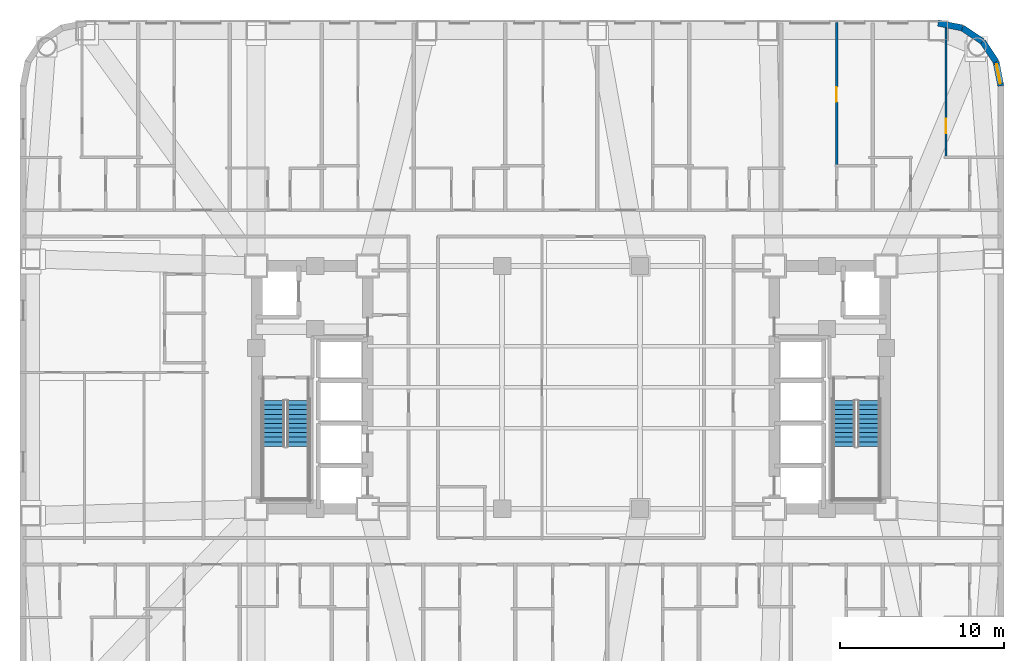
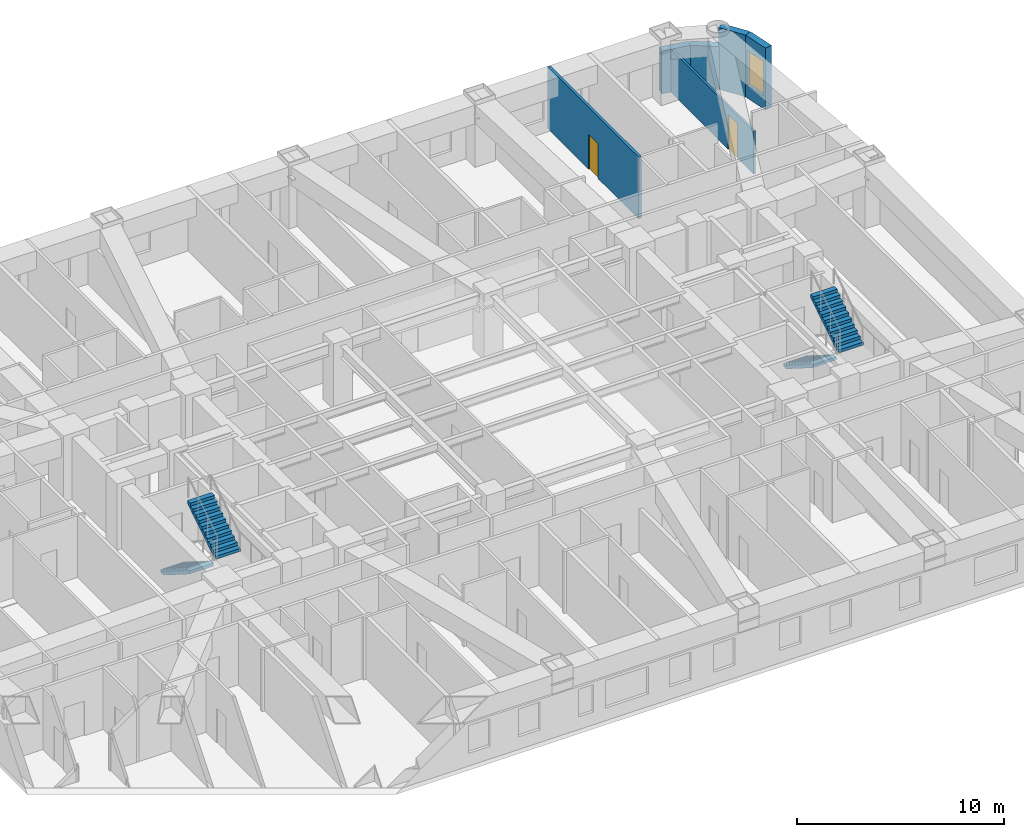
# One storey, part 10 of 12: 6 walls, 4 stair flights, 2 doors, 1 window, 3 openings, 2 elements without a shape of their own.
"""IFC4 building model written with IfcOpenShell, lengths in metres."""

from ifc_helpers import new_model, si_unit, direction, frame, frame_2d, origin, place, context, subcontext, project, spatial, polyline, rectangle, outline, extrude, material, layer, layer_set, type_object, element, fill, aggregate, save


model = new_model("IFC4")

# Units and contexts
model_context = context("Model", 3, precision=1e-05, world=origin(), true_north=direction((0.0, 1.0)))
body_context = subcontext(model_context, "Body", "Model", "MODEL_VIEW")
ifc_project = project(units=[si_unit("LENGTHUNIT", "METRE"), si_unit("AREAUNIT", "SQUARE_METRE"), si_unit("VOLUMEUNIT", "CUBIC_METRE"), si_unit("PLANEANGLEUNIT", "RADIAN"), si_unit("MASSUNIT", "GRAM", prefix="KILO")], contexts=[model_context])

# Site, building, storey
site_placement = place(None, origin())
site = spatial("IfcSite", under=ifc_project, at=site_placement, CompositionType="ELEMENT")
building_placement = place(site_placement, origin())
building = spatial("IfcBuilding", under=site, at=building_placement, Name="Voryun Gate Residences", CompositionType="ELEMENT")
storey_placement = place(building_placement, frame((0.0, 0.0, 29.89990234375)))
storey = spatial("IfcBuildingStorey", under=building, at=storey_placement, Name="L06", CompositionType="ELEMENT", Elevation=29.89990234375)

# Walls
ifc_material_1 = material(Name="Granite masonry", Category="masonry")
ifc_layer_1 = layer(ifc_material_1, 0.3798828125, Name="W_EXT_GRANITE_380")
ifc_layer_set_1 = layer_set([ifc_layer_1], Name="Granite masonry")
wall_type_1 = type_object("IfcWallType", Name="W_EXT_GRANITE_380", PredefinedType="ELEMENTEDWALL", material=ifc_layer_set_1)
wall_1_placement = place(storey_placement, frame((22.38134765625, 22.2099609375, 0.0), z_axis=(0.0, 0.0, 1.0), x_axis=(0.980786132421, -0.195086038585, 0.0)))
element("IfcWall", 1, at=wall_1_placement, inside=storey, type_object=wall_type_1, Name="Exterior wall WEXT-L06-12", PredefinedType="ELEMENTEDWALL", context=body_context, shape_type="SweptSolid", body=[
    extrude(rectangle(XDim=1.504150390625, YDim=0.3798828125, at=frame_2d((0.751953125, 0.0))), origin(), (0.0, 0.0, 1.0), 2.5400390625),
])
wall_2_placement = place(storey_placement, frame((23.856689453125, 21.91650390625, 0.0), z_axis=(0.0, 0.0, 1.0), x_axis=(0.831392092774, -0.555686231674, 0.0)))
element("IfcWall", 2, at=wall_2_placement, inside=storey, type_object=wall_type_1, Name="Exterior wall WEXT-L06-13", PredefinedType="ELEMENTEDWALL", context=body_context, shape_type="SweptSolid", body=[
    extrude(rectangle(XDim=1.485107421875, YDim=0.3798828125, at=frame_2d((0.74267578125, 0.0))), origin(), (0.0, 0.0, 1.0), 2.5400390625),
])
wall_3_placement = place(storey_placement, frame((25.09130859375, 21.09130859375, 0.0), z_axis=(0.0, 0.0, 1.0), x_axis=(0.555686231674, -0.831392092774, 0.0)))
element("IfcWall", 3, at=wall_3_placement, inside=storey, type_object=wall_type_1, Name="Exterior wall WEXT-L06-14", PredefinedType="ELEMENTEDWALL", context=body_context, shape_type="SweptSolid", body=[
    extrude(rectangle(XDim=1.485107421875, YDim=0.3798828125, at=frame_2d((0.74267578125, 0.0))), origin(), (0.0, 0.0, 1.0), 3.650146484375),
])

# Wall, opening, window
wall_4_placement = place(storey_placement, frame((25.91650390625, 19.856689453125, 0.0), z_axis=(0.0, 0.0, 1.0), x_axis=(0.195086038585, -0.980786132421, 0.0)))
wall_4 = element("IfcWall", 4, at=wall_4_placement, inside=storey, type_object=wall_type_1, Name="Exterior wall WEXT-L06-15", PredefinedType="ELEMENTEDWALL", context=body_context, shape_type="SweptSolid", body=[
    extrude(rectangle(XDim=1.504150390625, YDim=0.3798828125, at=frame_2d((0.751953125, 0.0))), origin(), (0.0, 0.0, 1.0), 3.650146484375),
])
opening_1_placement = place(wall_4_placement, frame((0.152099609375, 0.0, 0.75)))
opening_1 = element("IfcOpeningElement", 5, at=opening_1_placement, cuts=wall_4, Name="Opening WN6", PredefinedType="OPENING", context=body_context, shape_type="SweptSolid", body=[
    extrude(rectangle(XDim=1.199951171875, YDim=2.050048828125, at=frame_2d((0.60009765625, 1.02490234375))), frame((0.0, 0.199951171875, 0.0), z_axis=(0.0, -1.0, 0.0), x_axis=(1.0, 0.0, 0.0)), (0.0, 0.0, 1.0), 0.39990234375),
])
ifc_material_2 = material(Name="Laminated low-E glass", Category="glass")
window_type = type_object("IfcWindowType", Name="WN_POD_SLOT_1200", PartitioningType="SINGLE_PANEL", PredefinedType="WINDOW", material=ifc_material_2)
window_placement = place(opening_1_placement, origin())
window = element("IfcWindow", 6, at=window_placement, inside=storey, type_object=window_type, Name="Window WN-L06-DWFIX-15", OverallHeight=2.050048828125, OverallWidth=1.199951171875, PartitioningType="SINGLE_PANEL", PredefinedType="WINDOW", context=body_context, shape_type="SweptSolid", body=[
    extrude(rectangle(XDim=1.199951171875, YDim=2.050048828125, at=frame_2d((0.60009765625, 1.02490234375))), frame((0.0, 0.030029296875, 0.0), z_axis=(0.0, -1.0, 0.0), x_axis=(1.0, 0.0, 0.0)), (0.0, 0.0, 1.0), 0.06005859375),
])
fill(opening_1, window)

# Wall, opening, door
ifc_material_3 = material(Name="Gypsum acoustic partition")
ifc_layer_2 = layer(ifc_material_3, 0.125, Name="W_UNIT_PART_125")
ifc_layer_set_2 = layer_set([ifc_layer_2], Name="Gypsum acoustic partition")
wall_type_2 = type_object("IfcWallType", Name="W_UNIT_PART_125", PredefinedType="PARTITIONING", material=ifc_layer_set_2)
wall_5_placement = place(storey_placement, frame((22.867919921875, 13.93994140625, 0.0), z_axis=(0.0, 0.0, 1.0), x_axis=(0.0, 1.0, 0.0)))
wall_5 = element("IfcWall", 7, at=wall_5_placement, inside=storey, type_object=wall_type_2, Name="Partition wall WP-L06-N10-OVR", PredefinedType="PARTITIONING", context=body_context, shape_type="SweptSolid", body=[
    extrude(rectangle(XDim=8.326171875, YDim=0.125, at=frame_2d((4.1630859375, 0.0))), origin(), (0.0, 0.0, 1.0), 2.5400390625),
])
opening_2_placement = place(wall_5_placement, frame((1.54833984375, 0.0, 0.0)))
opening_2 = element("IfcOpeningElement", 8, at=opening_2_placement, cuts=wall_5, Name="Opening D-INT-2", PredefinedType="OPENING", context=body_context, shape_type="SweptSolid", body=[
    extrude(rectangle(XDim=0.89990234375, YDim=2.050048828125, at=frame_2d((0.449951171875, 1.02490234375))), frame((0.0, 0.072509765625, 0.0), z_axis=(0.0, -1.0, 0.0), x_axis=(1.0, 0.0, 0.0)), (0.0, 0.0, 1.0), 0.14501953125),
])
ifc_material_4 = material(Name="Architectural oak veneer")
door_type = type_object("IfcDoorType", Name="DR_INT_BATH_900", OperationType="NOTDEFINED", PredefinedType="DOOR", material=ifc_material_4)
door_1_placement = place(opening_2_placement, origin())
door_1 = element("IfcDoor", 9, at=door_1_placement, inside=storey, type_object=door_type, Name="Door DR-L06-N10-DMB", OperationType="SINGLE_SWING_RIGHT", OverallHeight=2.050048828125, OverallWidth=0.89990234375, PredefinedType="DOOR", context=body_context, shape_type="SweptSolid", body=[
    extrude(rectangle(XDim=0.89990234375, YDim=2.050048828125, at=frame_2d((0.449951171875, 1.02490234375))), frame((0.0, 0.02490234375, 0.0), z_axis=(0.0, -1.0, 0.0), x_axis=(1.0, 0.0, 0.0)), (0.0, 0.0, 1.0), 0.050048828125),
])
fill(opening_2, door_1)

ifc_material_5 = material(Name="Gypsum moisture-resistant partition")
ifc_layer_3 = layer(ifc_material_5, 0.14990234375, Name="W_WET_PLUMB_150")
ifc_layer_set_3 = layer_set([ifc_layer_3], Name="Gypsum moisture-resistant partition")
wall_type_3 = type_object("IfcWallType", Name="W_WET_PLUMB_150", PredefinedType="PLUMBINGWALL", material=ifc_layer_set_3)
wall_6_placement = place(storey_placement, frame((16.18994140625, 13.4599609375, 0.0), z_axis=(0.0, 0.0, 1.0), x_axis=(0.0, 1.0, 0.0)))
wall_6 = element("IfcWall", 10, at=wall_6_placement, inside=storey, type_object=wall_type_3, Name="Partition wall WP-L06-N9-SVT2", PredefinedType="PLUMBINGWALL", context=body_context, shape_type="SweptSolid", body=[
    extrude(rectangle(XDim=8.797607421875, YDim=0.14990234375, at=frame_2d((4.39892578125, 0.0))), origin(), (0.0, 0.0, 1.0), 3.650146484375),
])
opening_3_placement = place(wall_6_placement, frame((3.94873046875, 0.0, 0.0)))
opening_3 = element("IfcOpeningElement", 11, at=opening_3_placement, cuts=wall_6, Name="Opening D-INT-2", PredefinedType="OPENING", context=body_context, shape_type="SweptSolid", body=[
    extrude(rectangle(XDim=0.89990234375, YDim=2.050048828125, at=frame_2d((0.449951171875, 1.02490234375))), frame((0.0, 0.0849609375, 0.0), z_axis=(0.0, -1.0, 0.0), x_axis=(1.0, 0.0, 0.0)), (0.0, 0.0, 1.0), 0.169921875),
])
door_2_placement = place(opening_3_placement, origin())
door_2 = element("IfcDoor", 12, at=door_2_placement, inside=storey, type_object=door_type, Name="Door DR-L06-N9-DK", OperationType="SINGLE_SWING_RIGHT", OverallHeight=2.050048828125, OverallWidth=0.89990234375, PredefinedType="DOOR", context=body_context, shape_type="SweptSolid", body=[
    extrude(rectangle(XDim=0.89990234375, YDim=2.050048828125, at=frame_2d((0.449951171875, 1.02490234375))), frame((0.0, 0.02490234375, 0.0), z_axis=(0.0, -1.0, 0.0), x_axis=(1.0, 0.0, 0.0)), (0.0, 0.0, 1.0), 0.050048828125),
])
fill(opening_3, door_2)

# Stair, stair flights
ifc_material_6 = material(Name="Concrete C40/50", Category="concrete")
stair_type = type_object("IfcStairType", Name="STR_CORE_DOGLEG_1350", PredefinedType="HALF_TURN_STAIR", material=ifc_material_6)
stair_1_placement = place(storey_placement, origin())
stair_1 = element("IfcStair", 13, at=stair_1_placement, inside=storey, type_object=stair_type, Name="L06 Special Escape Stair ST-W1", PredefinedType="HALF_TURN_STAIR")
ifc_material_7 = material(Name="Concrete C40/50", Category="concrete")
stair_flight_type = type_object("IfcStairFlightType", Name="FLT_CORE_1350", PredefinedType="STRAIGHT", material=ifc_material_7)
stair_flight_1_placement = place(storey_placement, frame((-18.14990234375, -0.800048828125, 0.0), z_axis=(0.0, 0.0, 1.0), x_axis=(0.0, -1.0, 0.0)))
stair_flight_1 = element("IfcStairFlight", 14, at=stair_flight_1_placement, type_object=stair_flight_type, Name="ST-W1 flight 1", NumberOfRisers=11, NumberOfTreads=10, PredefinedType="STRAIGHT", RiserHeight=0.177272727, TreadLength=0.28, context=body_context, shape_type="SweptSolid", body=[
    extrude(outline(polyline([(0.0, 0.0), (0.0, 0.17724609375), (0.280029296875, 0.17724609375), (0.280029296875, 0.3544921875), (0.56005859375, 0.3544921875), (0.56005859375, 0.53173828125), (0.840087890625, 0.53173828125), (0.840087890625, 0.708984375), (1.1201171875, 0.708984375), (1.1201171875, 0.886474609375), (1.39990234375, 0.886474609375), (1.39990234375, 1.063720703125), (1.679931640625, 1.063720703125), (1.679931640625, 1.240966796875), (1.9599609375, 1.240966796875), (1.9599609375, 1.418212890625), (2.239990234375, 1.418212890625), (2.239990234375, 1.595458984375), (2.52001953125, 1.595458984375), (2.52001953125, 1.772705078125), (2.800048828125, 1.772705078125), (2.800048828125, 1.949951171875), (2.800048828125, 1.59521484375), (0.2802734375, 0.0), (0.0, 0.0)])), frame((0.0, 0.675048828125, 0.0), z_axis=(0.0, -1.0, 0.0), x_axis=(1.0, 0.0, 0.0)), (0.0, 0.0, 1.0), 1.35009765625),
])
stair_flight_2_placement = place(storey_placement, frame((-16.64990234375, -3.60009765625, 1.9501953125), z_axis=(0.0, 0.0, 1.0), x_axis=(0.0, 1.0, 0.0)))
stair_flight_2 = element("IfcStairFlight", 15, at=stair_flight_2_placement, type_object=stair_flight_type, Name="ST-W1 flight 2", NumberOfRisers=11, NumberOfTreads=10, PredefinedType="STRAIGHT", RiserHeight=0.177272727, TreadLength=0.28, context=body_context, shape_type="SweptSolid", body=[
    extrude(outline(polyline([(0.0, 0.0), (0.0, 0.17724609375), (0.280029296875, 0.17724609375), (0.280029296875, 0.3544921875), (0.56005859375, 0.3544921875), (0.56005859375, 0.53173828125), (0.840087890625, 0.53173828125), (0.840087890625, 0.708984375), (1.1201171875, 0.708984375), (1.1201171875, 0.886474609375), (1.39990234375, 0.886474609375), (1.39990234375, 1.063720703125), (1.679931640625, 1.063720703125), (1.679931640625, 1.240966796875), (1.9599609375, 1.240966796875), (1.9599609375, 1.418212890625), (2.239990234375, 1.418212890625), (2.239990234375, 1.595458984375), (2.52001953125, 1.595458984375), (2.52001953125, 1.772705078125), (2.800048828125, 1.772705078125), (2.800048828125, 1.949951171875), (2.800048828125, 1.59521484375), (0.2802734375, 0.0), (0.0, 0.0)])), frame((0.0, 0.675048828125, 0.0), z_axis=(0.0, -1.0, 0.0), x_axis=(1.0, 0.0, 0.0)), (0.0, 0.0, 1.0), 1.35009765625),
])
aggregate(stair_1, [stair_flight_1, stair_flight_2])

stair_2_placement = place(storey_placement, origin())
stair_2 = element("IfcStair", 16, at=stair_2_placement, inside=storey, type_object=stair_type, Name="L06 Special Escape Stair ST-E1", PredefinedType="HALF_TURN_STAIR")
stair_flight_3_placement = place(storey_placement, frame((16.64990234375, -0.800048828125, 0.0), z_axis=(0.0, 0.0, 1.0), x_axis=(0.0, -1.0, 0.0)))
stair_flight_3 = element("IfcStairFlight", 17, at=stair_flight_3_placement, type_object=stair_flight_type, Name="ST-E1 flight 1", NumberOfRisers=11, NumberOfTreads=10, PredefinedType="STRAIGHT", RiserHeight=0.177272727, TreadLength=0.28, context=body_context, shape_type="SweptSolid", body=[
    extrude(outline(polyline([(0.0, 0.0), (0.0, 0.17724609375), (0.280029296875, 0.17724609375), (0.280029296875, 0.3544921875), (0.56005859375, 0.3544921875), (0.56005859375, 0.53173828125), (0.840087890625, 0.53173828125), (0.840087890625, 0.708984375), (1.1201171875, 0.708984375), (1.1201171875, 0.886474609375), (1.39990234375, 0.886474609375), (1.39990234375, 1.063720703125), (1.679931640625, 1.063720703125), (1.679931640625, 1.240966796875), (1.9599609375, 1.240966796875), (1.9599609375, 1.418212890625), (2.239990234375, 1.418212890625), (2.239990234375, 1.595458984375), (2.52001953125, 1.595458984375), (2.52001953125, 1.772705078125), (2.800048828125, 1.772705078125), (2.800048828125, 1.949951171875), (2.800048828125, 1.59521484375), (0.2802734375, 0.0), (0.0, 0.0)])), frame((0.0, 0.675048828125, 0.0), z_axis=(0.0, -1.0, 0.0), x_axis=(1.0, 0.0, 0.0)), (0.0, 0.0, 1.0), 1.35009765625),
])
stair_flight_4_placement = place(storey_placement, frame((18.14990234375, -3.60009765625, 1.9501953125), z_axis=(0.0, 0.0, 1.0), x_axis=(0.0, 1.0, 0.0)))
stair_flight_4 = element("IfcStairFlight", 18, at=stair_flight_4_placement, type_object=stair_flight_type, Name="ST-E1 flight 2", NumberOfRisers=11, NumberOfTreads=10, PredefinedType="STRAIGHT", RiserHeight=0.177272727, TreadLength=0.28, context=body_context, shape_type="SweptSolid", body=[
    extrude(outline(polyline([(0.0, 0.0), (0.0, 0.17724609375), (0.280029296875, 0.17724609375), (0.280029296875, 0.3544921875), (0.56005859375, 0.3544921875), (0.56005859375, 0.53173828125), (0.840087890625, 0.53173828125), (0.840087890625, 0.708984375), (1.1201171875, 0.708984375), (1.1201171875, 0.886474609375), (1.39990234375, 0.886474609375), (1.39990234375, 1.063720703125), (1.679931640625, 1.063720703125), (1.679931640625, 1.240966796875), (1.9599609375, 1.240966796875), (1.9599609375, 1.418212890625), (2.239990234375, 1.418212890625), (2.239990234375, 1.595458984375), (2.52001953125, 1.595458984375), (2.52001953125, 1.772705078125), (2.800048828125, 1.772705078125), (2.800048828125, 1.949951171875), (2.800048828125, 1.59521484375), (0.2802734375, 0.0), (0.0, 0.0)])), frame((0.0, 0.675048828125, 0.0), z_axis=(0.0, -1.0, 0.0), x_axis=(1.0, 0.0, 0.0)), (0.0, 0.0, 1.0), 1.35009765625),
])
aggregate(stair_2, [stair_flight_3, stair_flight_4])

save(model, "model.ifc")
